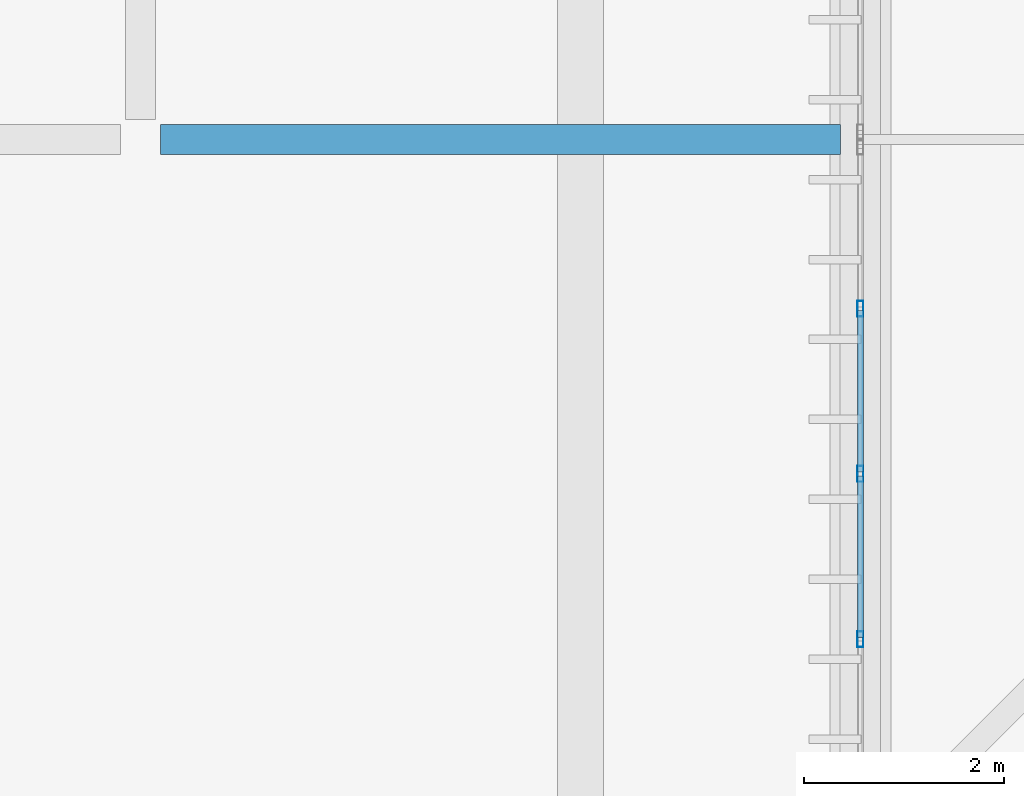
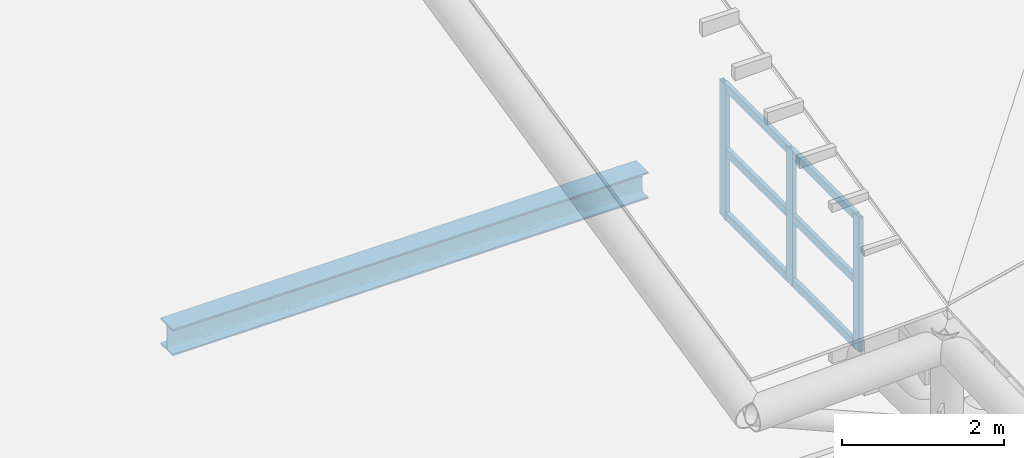
# One storey, part 7 of 397: 9 members, 1 beam, 1 element without a shape of its own.
"""IFC4 building model written with IfcOpenShell, lengths in metres."""

import ifcopenshell
import ifcopenshell.guid

model = None  # the IFC model being written
_history = None  # IfcOwnerHistory: only IFC2X3 demands one
_inside = {}  # id of a spatial element -> (the spatial element, [elements in it])
_under = {}  # id of a project, library or spatial element -> (it, [spatial elements below it])
_declared = {}  # id of a project -> (the project, [libraries it declares])
_typed = {}  # id of a type object -> (the type object, [elements of that type])
_made_of = {}  # id of a material, layer set ... -> (it, [elements and type objects made of it])


def new_model(schema):
    """Start an empty IFC model of exactly this schema.

    Asked for "IFC4X3", IfcOpenShell would pick the latest addendum, in which some entities
    have other attributes; the version numbers below select the first issue.
    IFC2X3 requires an IfcOwnerHistory on every rooted entity: one is made here for all.
    """
    global model, _history
    if schema == "IFC4X3":
        model = ifcopenshell.file(schema_version=(4, 3, 0, 0))
    else:
        model = ifcopenshell.file(schema=schema)
    _inside.clear()
    _under.clear()
    _declared.clear()
    _typed.clear()
    _made_of.clear()
    _history = None
    if model.schema == "IFC2X3":
        org = make("IfcOrganization", Name="unknown")
        user = make(
            "IfcPersonAndOrganization",
            ThePerson=make("IfcPerson", FamilyName="unknown"),
            TheOrganization=org,
        )
        app = make(
            "IfcApplication",
            ApplicationDeveloper=org,
            Version="unknown",
            ApplicationFullName="unknown",
            ApplicationIdentifier="unknown",
        )
        _history = make(
            "IfcOwnerHistory",
            OwningUser=user,
            OwningApplication=app,
            ChangeAction="ADDED",
            CreationDate=0,
        )
    return model


def make(cls, **values):
    """One entity of the class cls with the attributes given. An attribute that is None is left unset."""
    return model.create_entity(
        cls, **{name: value for name, value in values.items() if value is not None}
    )


def rooted(cls, **values):
    """An entity with a GlobalId (a new one), such as an element, a storey or a relation."""
    return make(cls, GlobalId=ifcopenshell.guid.new(), OwnerHistory=_history, **values)


def si_unit(unit_type, name, prefix=None):
    """IfcSIUnit, for example si_unit("LENGTHUNIT", "METRE", prefix="MILLI")."""
    return make("IfcSIUnit", UnitType=unit_type, Prefix=prefix, Name=name)


def assignment(units):
    """IfcUnitAssignment: the units of a project."""
    return None if units is None else make("IfcUnitAssignment", Units=units)


def point(xyz):
    """IfcCartesianPoint."""
    return None if xyz is None else make("IfcCartesianPoint", Coordinates=xyz)


def direction(xyz):
    """IfcDirection."""
    return None if xyz is None else make("IfcDirection", DirectionRatios=xyz)


def frame(location, z_axis=None, x_axis=None):
    """IfcAxis2Placement3D, a coordinate frame: its origin and axes. An axis left out is left unset."""
    return make(
        "IfcAxis2Placement3D",
        Location=point(location),
        Axis=direction(z_axis),
        RefDirection=direction(x_axis),
    )


def frame_2d(location, x_axis=None):
    """IfcAxis2Placement2D, a coordinate frame in the plane: its origin and x axis."""
    return make(
        "IfcAxis2Placement2D", Location=point(location), RefDirection=direction(x_axis)
    )


def origin():
    """The frame at (0, 0, 0) with its axes left unset."""
    return frame((0.0, 0.0, 0.0))


def origin_2d():
    """The frame at (0, 0) in the plane with its x axis left unset."""
    return frame_2d((0.0, 0.0))


def place(relative_to, where):
    """IfcLocalPlacement: puts the frame where relative to a parent placement (None: the world)."""
    return make(
        "IfcLocalPlacement", PlacementRelTo=relative_to, RelativePlacement=where
    )


def context(
    kind, dimensions, precision=None, world=None, true_north=None, identifier=None
):
    """IfcGeometricRepresentationContext, for example the 3D "Model" context."""
    return make(
        "IfcGeometricRepresentationContext",
        ContextIdentifier=identifier,
        ContextType=kind,
        CoordinateSpaceDimension=dimensions,
        Precision=precision,
        WorldCoordinateSystem=world,
        TrueNorth=true_north,
    )


def subcontext(parent, identifier, kind, view, scale=None):
    """IfcGeometricRepresentationSubContext, for example "Body" below "Model"."""
    return make(
        "IfcGeometricRepresentationSubContext",
        ContextIdentifier=identifier,
        ContextType=kind,
        ParentContext=parent,
        TargetScale=scale,
        TargetView=view,
    )


def project(units=None, contexts=None):
    """IfcProject with its units and contexts."""
    return rooted(
        "IfcProject",
        Name="project",
        RepresentationContexts=contexts,
        UnitsInContext=assignment(units),
    )


def spatial(cls, under=None, at=None, **own):
    """A site, building, storey or space (cls), placed at a placement, below another one or the project."""
    s = rooted(cls, ObjectPlacement=at, **own)
    if under is not None:
        _under.setdefault(under.id(), (under, []))[1].append(s)
    return s


def profile(cls, at=None, kind="AREA", **sizes):
    """A parametric profile (cls). Its sizes go by their IFC names, for example OverallWidth=200.0."""
    return make(cls, ProfileType=kind, Position=at, **sizes)


def hollow_rectangle(**sizes):
    """IfcRectangleHollowProfileDef."""
    return profile("IfcRectangleHollowProfileDef", **sizes)


def i_section(**sizes):
    """IfcIShapeProfileDef."""
    return profile("IfcIShapeProfileDef", **sizes)


def extrude(swept, where, along, depth):
    """IfcExtrudedAreaSolid: the profile swept, set in the frame where, extruded along a direction by depth."""
    return make(
        "IfcExtrudedAreaSolid",
        SweptArea=swept,
        Position=where,
        ExtrudedDirection=direction(along),
        Depth=depth,
    )


def shape(context_of_items, identifier, shape_type, items):
    """IfcShapeRepresentation: the items that make up one representation, for example the "Body"."""
    return make(
        "IfcShapeRepresentation",
        ContextOfItems=context_of_items,
        RepresentationIdentifier=identifier,
        RepresentationType=shape_type,
        Items=items,
    )


def material(Name=None, Category=None):
    """IfcMaterial."""
    return make("IfcMaterial", Name=Name, Category=Category)


def material_profile(
    of_material, cross_section, Name=None, Category=None, Priority=None
):
    """IfcMaterialProfile: a cross section and its material."""
    return make(
        "IfcMaterialProfile",
        Name=Name,
        Material=of_material,
        Profile=cross_section,
        Priority=Priority,
        Category=Category,
    )


def profile_set(profiles, Name=None, composite=None):
    """IfcMaterialProfileSet."""
    return make(
        "IfcMaterialProfileSet",
        Name=Name,
        MaterialProfiles=profiles,
        CompositeProfile=composite,
    )


def made_of(thing, what):
    """Note that an element or type object is made of a material, layer set ...; save() writes the relation."""
    if what is not None:
        _made_of.setdefault(what.id(), (what, []))[1].append(thing)
    return thing


def type_object(cls, material=None, **own):
    """A type object (cls), such as IfcWallType, which elements share."""
    return made_of(rooted(cls, **own), material)


def element(
    cls,
    number,
    at=None,
    inside=None,
    cuts=None,
    type_object=None,
    material=None,
    context=None,
    identifier="Body",
    shape_type=None,
    held_by="IfcProductDefinitionShape",
    body=None,
    shapes=None,
    **own,
):
    """One element of the class cls, such as IfcWall. Its Tag is "e" and its number.

    at: its placement. inside: the storey or other place that contains it. cuts: it is an
    opening in that element (IfcRelVoidsElement). A single representation is given by context,
    identifier, shape_type and body (its items); several are given by shapes. held_by: the class
    of the entity that holds the representations. save() writes the other relations.
    """
    e = rooted(cls, Tag="e%d" % number, ObjectPlacement=at, **own)
    if body is not None:
        shapes = [shape(context, identifier, shape_type, body)]
    if shapes is not None:
        e.Representation = make(held_by, Representations=shapes)
    if inside is not None:
        _inside.setdefault(inside.id(), (inside, []))[1].append(e)
    if cuts is not None:
        rooted(
            "IfcRelVoidsElement", RelatingBuildingElement=cuts, RelatedOpeningElement=e
        )
    if type_object is not None:
        _typed.setdefault(type_object.id(), (type_object, []))[1].append(e)
    return made_of(e, material)


def aggregate(whole, parts):
    """IfcRelAggregates: a whole, such as a stair, and the parts it consists of."""
    return rooted("IfcRelAggregates", RelatingObject=whole, RelatedObjects=parts)


def save(model, path):
    """Write the relations noted so far, then the file.

    IfcRelAggregates (storeys below a building ...), IfcRelContainedInSpatialStructure (elements
    in a storey), IfcRelDefinesByType, IfcRelAssociatesMaterial and IfcRelDeclares: one each for
    every whole, place, type object, material and project.
    """
    for whole, parts in _under.values():
        aggregate(whole, parts)
    for where, things in _inside.values():
        rooted(
            "IfcRelContainedInSpatialStructure",
            RelatedElements=things,
            RelatingStructure=where,
        )
    for kind, things in _typed.values():
        rooted("IfcRelDefinesByType", RelatedObjects=things, RelatingType=kind)
    for what, things in _made_of.values():
        rooted("IfcRelAssociatesMaterial", RelatedObjects=things, RelatingMaterial=what)
    for by, libraries in _declared.values():
        rooted("IfcRelDeclares", RelatingContext=by, RelatedDefinitions=libraries)
    model.write(path)


model = new_model("IFC4")

# Units and contexts
model_context = context("Model", 3, precision=1e-05, world=origin(), true_north=direction((0.0, 1.0)))
body_context = subcontext(model_context, "Body", "Model", "MODEL_VIEW")
ifc_project = project(units=[si_unit("LENGTHUNIT", "METRE"), si_unit("AREAUNIT", "SQUARE_METRE"), si_unit("VOLUMEUNIT", "CUBIC_METRE"), si_unit("PLANEANGLEUNIT", "RADIAN"), si_unit("MASSUNIT", "GRAM", prefix="KILO")], contexts=[model_context])

# Site, building, storey
site_placement = place(None, origin())
site = spatial("IfcSite", under=ifc_project, at=site_placement, CompositionType="ELEMENT")
building_placement = place(site_placement, origin())
building = spatial("IfcBuilding", under=site, at=building_placement, Name="Qandorah Velis Arena", CompositionType="ELEMENT")
storey_placement = place(building_placement, frame((0.0, 0.0, 27.5)))
storey = spatial("IfcBuildingStorey", under=building, at=storey_placement, Name="RF", CompositionType="ELEMENT", Elevation=27.5)

# Curtain wall, members
ifc_material_1 = material(Name="Solar-control low-E double glazing", Category="glass")
curtain_wall_type = type_object("IfcCurtainWallType", Name="ARC-CW-SYS01", PredefinedType="USERDEFINED", material=ifc_material_1)
curtain_wall_placement = place(storey_placement, origin())
curtain_wall = element("IfcCurtainWall", 1, at=curtain_wall_placement, inside=storey, type_object=curtain_wall_type, Name="Unitised curtain wall CROWN-1-01S1", ObjectType="UNITISED CURTAIN WALL", PredefinedType="USERDEFINED")
ifc_material_2 = material(Name="Champagne-bronze anodized aluminium 6063-T6", Category="aluminium")
ifc_material_profile_1 = material_profile(ifc_material_2, hollow_rectangle(XDim=0.06005859375, YDim=0.159912109375, WallThickness=0.00341796875, at=origin_2d()), Name="ALU MULLION 60x160")
ifc_profile_set_1 = profile_set([ifc_material_profile_1], Name="Champagne-bronze anodized aluminium 6063-T6")
member_type_1 = type_object("IfcMemberType", Name="ARC-CWM-160", PredefinedType="MULLION", material=ifc_profile_set_1)
member_1_placement = place(storey_placement, frame((14.39990234375, 16.6025390625, -0.014892578125), z_axis=(0.0, 0.0, 1.0), x_axis=(-1.0, 0.0, 0.0)))
member_1 = element("IfcMember", 2, at=member_1_placement, type_object=member_type_1, Name="CW01 mullion 2", PredefinedType="MULLION", context=body_context, shape_type="SweptSolid", body=[
    extrude(hollow_rectangle(XDim=0.06005859375, YDim=0.159912109375, WallThickness=0.00341796875, at=origin_2d()), origin(), (0.0, 0.0, 1.0), 2.03271484375),
])
member_2_placement = place(storey_placement, frame((14.39990234375, 18.2548828125, -0.014892578125), z_axis=(0.0, 0.0, 1.0), x_axis=(-1.0, 0.0, 0.0)))
member_2 = element("IfcMember", 3, at=member_2_placement, type_object=member_type_1, Name="CW01 mullion 3", PredefinedType="MULLION", context=body_context, shape_type="SweptSolid", body=[
    extrude(hollow_rectangle(XDim=0.06005859375, YDim=0.159912109375, WallThickness=0.00341796875, at=origin_2d()), origin(), (0.0, 0.0, 1.0), 2.03271484375),
])
member_3_placement = place(storey_placement, frame((14.39990234375, 19.907470703125, -0.014892578125), z_axis=(0.0, 0.0, 1.0), x_axis=(-1.0, 0.0, 0.0)))
member_3 = element("IfcMember", 4, at=member_3_placement, type_object=member_type_1, Name="CW01 mullion 4", PredefinedType="MULLION", context=body_context, shape_type="SweptSolid", body=[
    extrude(hollow_rectangle(XDim=0.06005859375, YDim=0.159912109375, WallThickness=0.00341796875, at=origin_2d()), origin(), (0.0, 0.0, 1.0), 2.03271484375),
])
ifc_material_profile_2 = material_profile(ifc_material_2, hollow_rectangle(XDim=0.06005859375, YDim=0.1201171875, WallThickness=0.0029296875, at=origin_2d()), Name="ALU TRANSOM 60x120")
ifc_profile_set_2 = profile_set([ifc_material_profile_2], Name="Champagne-bronze anodized aluminium 6063-T6")
member_type_2 = type_object("IfcMemberType", Name="ARC-CWT-120", PredefinedType="USERDEFINED", material=ifc_profile_set_2)
member_4_placement = place(storey_placement, frame((14.39990234375, 16.62060546875, 0.030029296875), z_axis=(0.0, 1.0, 0.0), x_axis=(-1.0, 0.0, 0.0)))
member_4 = element("IfcMember", 5, at=member_4_placement, type_object=member_type_2, Name="CW01 transom 2.1", ObjectType="TRANSOM", PredefinedType="USERDEFINED", context=body_context, shape_type="SweptSolid", body=[
    extrude(hollow_rectangle(XDim=0.06005859375, YDim=0.1201171875, WallThickness=0.0029296875, at=origin_2d()), origin(), (0.0, 0.0, 1.0), 1.616455078125),
])
member_5_placement = place(storey_placement, frame((14.39990234375, 16.62060546875, 1.00146484375), z_axis=(0.0, 1.0, 0.0), x_axis=(-1.0, 0.0, 0.0)))
member_5 = element("IfcMember", 6, at=member_5_placement, type_object=member_type_2, Name="CW01 transom 2.2", ObjectType="TRANSOM", PredefinedType="USERDEFINED", context=body_context, shape_type="SweptSolid", body=[
    extrude(hollow_rectangle(XDim=0.06005859375, YDim=0.1201171875, WallThickness=0.0029296875, at=origin_2d()), origin(), (0.0, 0.0, 1.0), 1.616455078125),
])
member_6_placement = place(storey_placement, frame((14.39990234375, 16.62060546875, 1.972900390625), z_axis=(0.0, 1.0, 0.0), x_axis=(-1.0, 0.0, 0.0)))
member_6 = element("IfcMember", 7, at=member_6_placement, type_object=member_type_2, Name="CW01 transom 2.3", ObjectType="TRANSOM", PredefinedType="USERDEFINED", context=body_context, shape_type="SweptSolid", body=[
    extrude(hollow_rectangle(XDim=0.06005859375, YDim=0.1201171875, WallThickness=0.0029296875, at=origin_2d()), origin(), (0.0, 0.0, 1.0), 1.616455078125),
])
member_7_placement = place(storey_placement, frame((14.39990234375, 18.27294921875, 0.030029296875), z_axis=(0.0, 1.0, 0.0), x_axis=(-1.0, 0.0, 0.0)))
member_7 = element("IfcMember", 8, at=member_7_placement, type_object=member_type_2, Name="CW01 transom 3.1", ObjectType="TRANSOM", PredefinedType="USERDEFINED", context=body_context, shape_type="SweptSolid", body=[
    extrude(hollow_rectangle(XDim=0.06005859375, YDim=0.1201171875, WallThickness=0.0029296875, at=origin_2d()), origin(), (0.0, 0.0, 1.0), 1.616455078125),
])
member_8_placement = place(storey_placement, frame((14.39990234375, 18.27294921875, 1.00146484375), z_axis=(0.0, 1.0, 0.0), x_axis=(-1.0, 0.0, 0.0)))
member_8 = element("IfcMember", 9, at=member_8_placement, type_object=member_type_2, Name="CW01 transom 3.2", ObjectType="TRANSOM", PredefinedType="USERDEFINED", context=body_context, shape_type="SweptSolid", body=[
    extrude(hollow_rectangle(XDim=0.06005859375, YDim=0.1201171875, WallThickness=0.0029296875, at=origin_2d()), origin(), (0.0, 0.0, 1.0), 1.616455078125),
])
member_9_placement = place(storey_placement, frame((14.39990234375, 18.27294921875, 1.972900390625), z_axis=(0.0, 1.0, 0.0), x_axis=(-1.0, 0.0, 0.0)))
member_9 = element("IfcMember", 10, at=member_9_placement, type_object=member_type_2, Name="CW01 transom 3.3", ObjectType="TRANSOM", PredefinedType="USERDEFINED", context=body_context, shape_type="SweptSolid", body=[
    extrude(hollow_rectangle(XDim=0.06005859375, YDim=0.1201171875, WallThickness=0.0029296875, at=origin_2d()), origin(), (0.0, 0.0, 1.0), 1.616455078125),
])
aggregate(curtain_wall, [member_1, member_2, member_3, member_4, member_5, member_6, member_7, member_8, member_9])

# Beam
ifc_material_3 = material(Name="Steel S355", Category="steel")
ifc_material_profile_3 = material_profile(ifc_material_3, i_section(OverallWidth=0.300048828125, OverallDepth=0.39990234375, WebThickness=0.013427734375, FlangeThickness=0.02392578125, FilletRadius=0.027099609375, at=origin_2d()), Name="HEB 400")
ifc_profile_set_3 = profile_set([ifc_material_profile_3], Name="Steel S355")
beam_type = type_object("IfcBeamType", Name="STR-BM-HEB400", PredefinedType="BEAM", material=ifc_profile_set_3)
beam_placement = place(storey_placement, frame((7.39990234375, 21.60009765625, -0.419921875), z_axis=(1.0, 0.0, 0.0), x_axis=(0.0, 1.0, 0.0)))
element("IfcBeam", 11, at=beam_placement, inside=storey, type_object=beam_type, Name="Primary floor girder RF X-020", PredefinedType="BEAM", context=body_context, shape_type="SweptSolid", body=[
    extrude(i_section(OverallWidth=0.300048828125, OverallDepth=0.39990234375, WebThickness=0.013427734375, FlangeThickness=0.02392578125, FilletRadius=0.027099609375, at=origin_2d()), origin(), (0.0, 0.0, 1.0), 6.800048828125),
])

save(model, "model.ifc")
